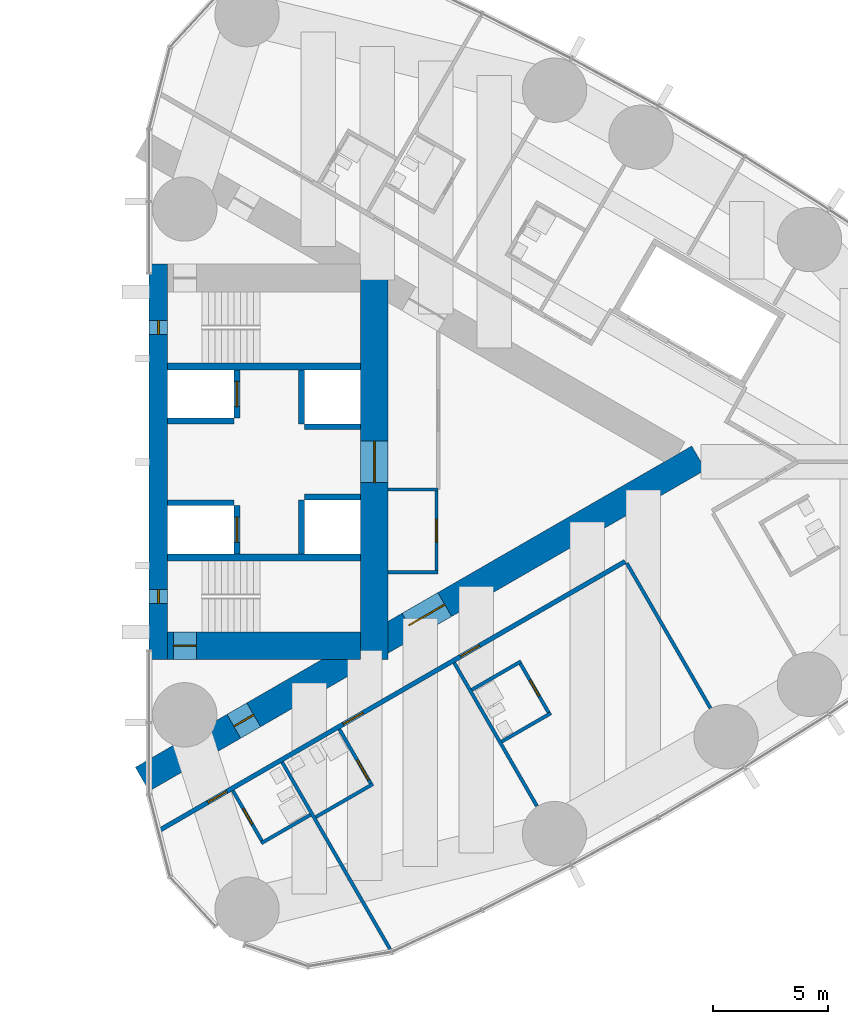
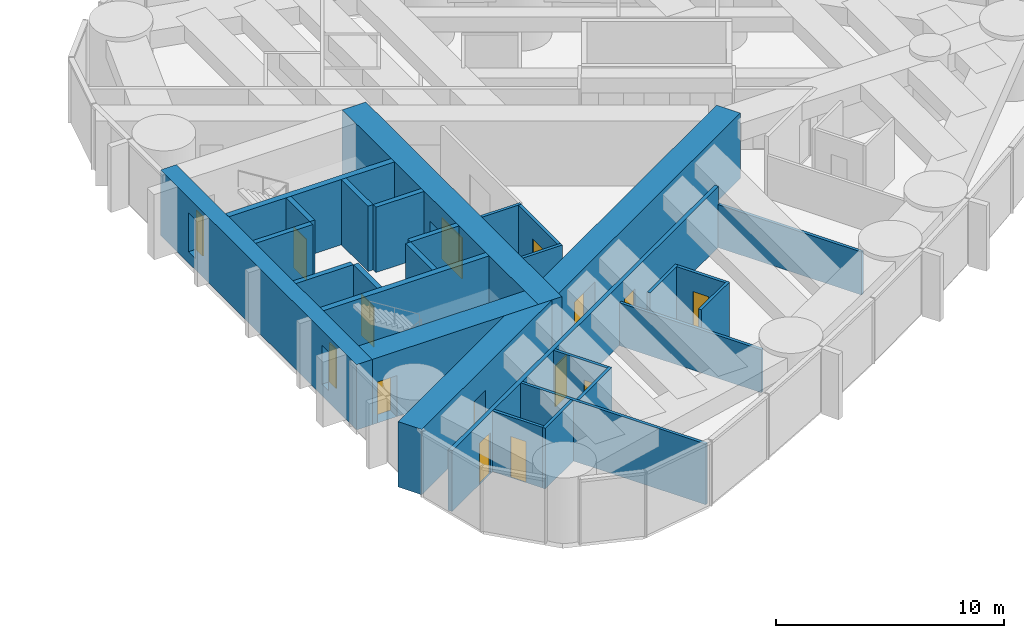
# One storey, part 14 of 18: 28 walls, 13 doors, 2 windows, 15 openings.
"""IFC4 building model written with IfcOpenShell, lengths in metres."""

import ifcopenshell
import ifcopenshell.guid

model = None  # the IFC model being written
_history = None  # IfcOwnerHistory: only IFC2X3 demands one
_inside = {}  # id of a spatial element -> (the spatial element, [elements in it])
_under = {}  # id of a project, library or spatial element -> (it, [spatial elements below it])
_declared = {}  # id of a project -> (the project, [libraries it declares])
_typed = {}  # id of a type object -> (the type object, [elements of that type])
_made_of = {}  # id of a material, layer set ... -> (it, [elements and type objects made of it])


def new_model(schema):
    """Start an empty IFC model of exactly this schema.

    Asked for "IFC4X3", IfcOpenShell would pick the latest addendum, in which some entities
    have other attributes; the version numbers below select the first issue.
    IFC2X3 requires an IfcOwnerHistory on every rooted entity: one is made here for all.
    """
    global model, _history
    if schema == "IFC4X3":
        model = ifcopenshell.file(schema_version=(4, 3, 0, 0))
    else:
        model = ifcopenshell.file(schema=schema)
    _inside.clear()
    _under.clear()
    _declared.clear()
    _typed.clear()
    _made_of.clear()
    _history = None
    if model.schema == "IFC2X3":
        org = make("IfcOrganization", Name="unknown")
        user = make(
            "IfcPersonAndOrganization",
            ThePerson=make("IfcPerson", FamilyName="unknown"),
            TheOrganization=org,
        )
        app = make(
            "IfcApplication",
            ApplicationDeveloper=org,
            Version="unknown",
            ApplicationFullName="unknown",
            ApplicationIdentifier="unknown",
        )
        _history = make(
            "IfcOwnerHistory",
            OwningUser=user,
            OwningApplication=app,
            ChangeAction="ADDED",
            CreationDate=0,
        )
    return model


def make(cls, **values):
    """One entity of the class cls with the attributes given. An attribute that is None is left unset."""
    return model.create_entity(
        cls, **{name: value for name, value in values.items() if value is not None}
    )


def rooted(cls, **values):
    """An entity with a GlobalId (a new one), such as an element, a storey or a relation."""
    return make(cls, GlobalId=ifcopenshell.guid.new(), OwnerHistory=_history, **values)


def si_unit(unit_type, name, prefix=None):
    """IfcSIUnit, for example si_unit("LENGTHUNIT", "METRE", prefix="MILLI")."""
    return make("IfcSIUnit", UnitType=unit_type, Prefix=prefix, Name=name)


def assignment(units):
    """IfcUnitAssignment: the units of a project."""
    return None if units is None else make("IfcUnitAssignment", Units=units)


def point(xyz):
    """IfcCartesianPoint."""
    return None if xyz is None else make("IfcCartesianPoint", Coordinates=xyz)


def direction(xyz):
    """IfcDirection."""
    return None if xyz is None else make("IfcDirection", DirectionRatios=xyz)


def frame(location, z_axis=None, x_axis=None):
    """IfcAxis2Placement3D, a coordinate frame: its origin and axes. An axis left out is left unset."""
    return make(
        "IfcAxis2Placement3D",
        Location=point(location),
        Axis=direction(z_axis),
        RefDirection=direction(x_axis),
    )


def frame_2d(location, x_axis=None):
    """IfcAxis2Placement2D, a coordinate frame in the plane: its origin and x axis."""
    return make(
        "IfcAxis2Placement2D", Location=point(location), RefDirection=direction(x_axis)
    )


def origin():
    """The frame at (0, 0, 0) with its axes left unset."""
    return frame((0.0, 0.0, 0.0))


def place(relative_to, where):
    """IfcLocalPlacement: puts the frame where relative to a parent placement (None: the world)."""
    return make(
        "IfcLocalPlacement", PlacementRelTo=relative_to, RelativePlacement=where
    )


def context(
    kind, dimensions, precision=None, world=None, true_north=None, identifier=None
):
    """IfcGeometricRepresentationContext, for example the 3D "Model" context."""
    return make(
        "IfcGeometricRepresentationContext",
        ContextIdentifier=identifier,
        ContextType=kind,
        CoordinateSpaceDimension=dimensions,
        Precision=precision,
        WorldCoordinateSystem=world,
        TrueNorth=true_north,
    )


def subcontext(parent, identifier, kind, view, scale=None):
    """IfcGeometricRepresentationSubContext, for example "Body" below "Model"."""
    return make(
        "IfcGeometricRepresentationSubContext",
        ContextIdentifier=identifier,
        ContextType=kind,
        ParentContext=parent,
        TargetScale=scale,
        TargetView=view,
    )


def project(units=None, contexts=None):
    """IfcProject with its units and contexts."""
    return rooted(
        "IfcProject",
        Name="project",
        RepresentationContexts=contexts,
        UnitsInContext=assignment(units),
    )


def spatial(cls, under=None, at=None, **own):
    """A site, building, storey or space (cls), placed at a placement, below another one or the project."""
    s = rooted(cls, ObjectPlacement=at, **own)
    if under is not None:
        _under.setdefault(under.id(), (under, []))[1].append(s)
    return s


def profile(cls, at=None, kind="AREA", **sizes):
    """A parametric profile (cls). Its sizes go by their IFC names, for example OverallWidth=200.0."""
    return make(cls, ProfileType=kind, Position=at, **sizes)


def rectangle(**sizes):
    """IfcRectangleProfileDef."""
    return profile("IfcRectangleProfileDef", **sizes)


def extrude(swept, where, along, depth):
    """IfcExtrudedAreaSolid: the profile swept, set in the frame where, extruded along a direction by depth."""
    return make(
        "IfcExtrudedAreaSolid",
        SweptArea=swept,
        Position=where,
        ExtrudedDirection=direction(along),
        Depth=depth,
    )


def shape(context_of_items, identifier, shape_type, items):
    """IfcShapeRepresentation: the items that make up one representation, for example the "Body"."""
    return make(
        "IfcShapeRepresentation",
        ContextOfItems=context_of_items,
        RepresentationIdentifier=identifier,
        RepresentationType=shape_type,
        Items=items,
    )


def material(Name=None, Category=None):
    """IfcMaterial."""
    return make("IfcMaterial", Name=Name, Category=Category)


def layer(
    of_material, thickness, ventilated=None, Name=None, Category=None, Priority=None
):
    """IfcMaterialLayer: one layer of a wall or slab, of a material (None: an air gap)."""
    return make(
        "IfcMaterialLayer",
        Material=of_material,
        LayerThickness=thickness,
        IsVentilated=ventilated,
        Name=Name,
        Category=Category,
        Priority=Priority,
    )


def layer_set(layers, Name=None):
    """IfcMaterialLayerSet."""
    return make("IfcMaterialLayerSet", MaterialLayers=layers, LayerSetName=Name)


def made_of(thing, what):
    """Note that an element or type object is made of a material, layer set ...; save() writes the relation."""
    if what is not None:
        _made_of.setdefault(what.id(), (what, []))[1].append(thing)
    return thing


def type_object(cls, material=None, **own):
    """A type object (cls), such as IfcWallType, which elements share."""
    return made_of(rooted(cls, **own), material)


def element(
    cls,
    number,
    at=None,
    inside=None,
    cuts=None,
    type_object=None,
    material=None,
    context=None,
    identifier="Body",
    shape_type=None,
    held_by="IfcProductDefinitionShape",
    body=None,
    shapes=None,
    **own,
):
    """One element of the class cls, such as IfcWall. Its Tag is "e" and its number.

    at: its placement. inside: the storey or other place that contains it. cuts: it is an
    opening in that element (IfcRelVoidsElement). A single representation is given by context,
    identifier, shape_type and body (its items); several are given by shapes. held_by: the class
    of the entity that holds the representations. save() writes the other relations.
    """
    e = rooted(cls, Tag="e%d" % number, ObjectPlacement=at, **own)
    if body is not None:
        shapes = [shape(context, identifier, shape_type, body)]
    if shapes is not None:
        e.Representation = make(held_by, Representations=shapes)
    if inside is not None:
        _inside.setdefault(inside.id(), (inside, []))[1].append(e)
    if cuts is not None:
        rooted(
            "IfcRelVoidsElement", RelatingBuildingElement=cuts, RelatedOpeningElement=e
        )
    if type_object is not None:
        _typed.setdefault(type_object.id(), (type_object, []))[1].append(e)
    return made_of(e, material)


def fill(opening, filler):
    """IfcRelFillsElement: the door or window that sits in an opening."""
    return rooted(
        "IfcRelFillsElement",
        RelatingOpeningElement=opening,
        RelatedBuildingElement=filler,
    )


def aggregate(whole, parts):
    """IfcRelAggregates: a whole, such as a stair, and the parts it consists of."""
    return rooted("IfcRelAggregates", RelatingObject=whole, RelatedObjects=parts)


def save(model, path):
    """Write the relations noted so far, then the file.

    IfcRelAggregates (storeys below a building ...), IfcRelContainedInSpatialStructure (elements
    in a storey), IfcRelDefinesByType, IfcRelAssociatesMaterial and IfcRelDeclares: one each for
    every whole, place, type object, material and project.
    """
    for whole, parts in _under.values():
        aggregate(whole, parts)
    for where, things in _inside.values():
        rooted(
            "IfcRelContainedInSpatialStructure",
            RelatedElements=things,
            RelatingStructure=where,
        )
    for kind, things in _typed.values():
        rooted("IfcRelDefinesByType", RelatedObjects=things, RelatingType=kind)
    for what, things in _made_of.values():
        rooted("IfcRelAssociatesMaterial", RelatedObjects=things, RelatingMaterial=what)
    for by, libraries in _declared.values():
        rooted("IfcRelDeclares", RelatingContext=by, RelatedDefinitions=libraries)
    model.write(path)


model = new_model("IFC4")

# Units and contexts
model_context = context("Model", 3, precision=1e-05, world=origin(), true_north=direction((0.0, 1.0)))
body_context = subcontext(model_context, "Body", "Model", "MODEL_VIEW")
ifc_project = project(units=[si_unit("LENGTHUNIT", "METRE"), si_unit("AREAUNIT", "SQUARE_METRE"), si_unit("VOLUMEUNIT", "CUBIC_METRE"), si_unit("PLANEANGLEUNIT", "RADIAN"), si_unit("MASSUNIT", "GRAM", prefix="KILO")], contexts=[model_context])

# Site, building, storey
site_placement = place(None, origin())
site = spatial("IfcSite", under=ifc_project, at=site_placement, CompositionType="ELEMENT")
building_placement = place(site_placement, origin())
building = spatial("IfcBuilding", under=site, at=building_placement, Name="Lancet Gate Hotel", CompositionType="ELEMENT")
storey_placement = place(building_placement, frame((0.0, 0.0, 187.800048828125)))
storey = spatial("IfcBuildingStorey", under=building, at=storey_placement, Name="L50", CompositionType="ELEMENT", Elevation=187.800048828125)

# Wall
ifc_material_1 = material(Name="Moisture resistant board partition")
ifc_layer_1 = layer(ifc_material_1, 0.14990234375)
ifc_layer_set_1 = layer_set([ifc_layer_1], Name="Bathroom wall 150")
wall_type_1 = type_object("IfcWallType", Name="Bathroom wall 150", PredefinedType="PARTITIONING", material=ifc_layer_set_1)
wall_1_placement = place(storey_placement, frame((32.375244140625, -16.58544921875, 0.0), z_axis=(0.0, 0.0, 1.0), x_axis=(0.86604923931, 0.499958713387, 0.0)))
element("IfcWall", 1, at=wall_1_placement, inside=storey, type_object=wall_type_1, Name="T2 bathroom wall 150 L50", PredefinedType="PARTITIONING", context=body_context, shape_type="SweptSolid", body=[
    extrude(rectangle(XDim=2.474853515625, YDim=0.14990234375, at=frame_2d((1.2373046875, 0.0))), origin(), (0.0, 0.0, 1.0), 3.25),
])

# Wall, opening, door
wall_2_placement = place(storey_placement, frame((31.14013671875, -14.29638671875, 0.0), z_axis=(0.0, 0.0, 1.0), x_axis=(0.500006934395, -0.866021400173, 0.0)))
wall_2 = element("IfcWall", 2, at=wall_2_placement, inside=storey, type_object=wall_type_1, Name="T2 bathroom wall 150 L50", PredefinedType="PARTITIONING", context=body_context, shape_type="SweptSolid", body=[
    extrude(rectangle(XDim=2.60009765625, YDim=0.14990234375, at=frame_2d((1.300048828125, 0.0))), origin(), (0.0, 0.0, 1.0), 3.25),
])
opening_1_placement = place(wall_2_placement, frame((0.89990234375, 0.0, 0.0)))
opening_1 = element("IfcOpeningElement", 3, at=opening_1_placement, cuts=wall_2, Name="Opening 5051-B", PredefinedType="OPENING", context=body_context, shape_type="SweptSolid", body=[
    extrude(rectangle(XDim=0.800048828125, YDim=2.199951171875, at=frame_2d((0.39990234375, 1.10009765625))), frame((0.0, 0.0849609375, 0.0), z_axis=(0.0, -1.0, 0.0), x_axis=(1.0, 0.0, 0.0)), (0.0, 0.0, 1.0), 0.169921875),
])
ifc_material_2 = material(Name="Timber door set", Category="wood")
door_type_1 = type_object("IfcDoorType", Name="Bathroom door 800", OperationType="SINGLE_SWING_RIGHT", PredefinedType="DOOR", material=ifc_material_2)
door_1_placement = place(opening_1_placement, origin())
door_1 = element("IfcDoor", 4, at=door_1_placement, inside=storey, type_object=door_type_1, Name="5051-B", OperationType="SINGLE_SWING_RIGHT", OverallHeight=2.199951171875, OverallWidth=0.800048828125, PredefinedType="DOOR", context=body_context, shape_type="SweptSolid", body=[
    extrude(rectangle(XDim=0.800048828125, YDim=2.199951171875, at=frame_2d((0.39990234375, 1.10009765625))), frame((0.0, 0.02490234375, 0.0), z_axis=(0.0, -1.0, 0.0), x_axis=(1.0, 0.0, 0.0)), (0.0, 0.0, 1.0), 0.050048828125),
])
fill(opening_1, door_1)

# Wall
wall_3_placement = place(storey_placement, frame((34.74853515625, -15.4462890625, 0.0), z_axis=(0.0, 0.0, 1.0), x_axis=(0.866018712932, 0.500011588718, 0.0)))
element("IfcWall", 5, at=wall_3_placement, inside=storey, type_object=wall_type_1, Name="T2 bathroom wall 150 L50", PredefinedType="PARTITIONING", context=body_context, shape_type="SweptSolid", body=[
    extrude(rectangle(XDim=2.875, YDim=0.14990234375, at=frame_2d((1.4375, 0.0))), origin(), (0.0, 0.0, 1.0), 3.25),
])

# Wall, opening, door
wall_4_placement = place(storey_placement, frame((35.7734375, -11.621337890625, 0.0), z_axis=(0.0, 0.0, 1.0), x_axis=(0.49998411664, -0.866034573852, 0.0)))
wall_4 = element("IfcWall", 6, at=wall_4_placement, inside=storey, type_object=wall_type_1, Name="T2 bathroom wall 150 L50", PredefinedType="PARTITIONING", context=body_context, shape_type="SweptSolid", body=[
    extrude(rectangle(XDim=2.7998046875, YDim=0.14990234375, at=frame_2d((1.39990234375, 0.0))), origin(), (0.0, 0.0, 1.0), 3.25),
])
opening_2_placement = place(wall_4_placement, frame((1.550048828125, 0.0, 0.0)))
opening_2 = element("IfcOpeningElement", 7, at=opening_2_placement, cuts=wall_4, Name="Opening 5052-B", PredefinedType="OPENING", context=body_context, shape_type="SweptSolid", body=[
    extrude(rectangle(XDim=1.0, YDim=2.199951171875, at=frame_2d((0.5, 1.10009765625))), frame((0.0, 0.0849609375, 0.0), z_axis=(0.0, -1.0, 0.0), x_axis=(1.0, 0.0, 0.0)), (0.0, 0.0, 1.0), 0.169921875),
])
ifc_material_3 = material(Name="Timber door set", Category="wood")
door_type_2 = type_object("IfcDoorType", Name="Accessible en-suite door 1000", OperationType="SINGLE_SWING_RIGHT", PredefinedType="DOOR", material=ifc_material_3)
door_2_placement = place(opening_2_placement, origin())
door_2 = element("IfcDoor", 8, at=door_2_placement, inside=storey, type_object=door_type_2, Name="5052-B", OperationType="SINGLE_SWING_RIGHT", OverallHeight=2.199951171875, OverallWidth=1.0, PredefinedType="DOOR", context=body_context, shape_type="SweptSolid", body=[
    extrude(rectangle(XDim=1.0, YDim=2.199951171875, at=frame_2d((0.5, 1.10009765625))), frame((0.0, 0.02490234375, 0.0), z_axis=(0.0, -1.0, 0.0), x_axis=(1.0, 0.0, 0.0)), (0.0, 0.0, 1.0), 0.050048828125),
])
fill(opening_2, door_2)

# Wall
wall_5_placement = place(storey_placement, frame((42.834228515625, -12.16357421875, 0.0), z_axis=(0.0, 0.0, 1.0), x_axis=(0.866031185235, 0.4999899861, 0.0)))
element("IfcWall", 9, at=wall_5_placement, inside=storey, type_object=wall_type_1, Name="T2 bathroom wall 150 L50", PredefinedType="PARTITIONING", context=body_context, shape_type="SweptSolid", body=[
    extrude(rectangle(XDim=2.47509765625, YDim=0.14990234375, at=frame_2d((1.237548828125, 0.0))), origin(), (0.0, 0.0, 1.0), 3.25),
])

# Wall, opening, door
wall_6_placement = place(storey_placement, frame((43.61279296875, -8.7119140625, 0.0), z_axis=(0.0, 0.0, 1.0), x_axis=(0.500006934395, -0.866021400173, 0.0)))
wall_6 = element("IfcWall", 10, at=wall_6_placement, inside=storey, type_object=wall_type_1, Name="T2 bathroom wall 150 L50", PredefinedType="PARTITIONING", context=body_context, shape_type="SweptSolid", body=[
    extrude(rectangle(XDim=2.60009765625, YDim=0.14990234375, at=frame_2d((1.300048828125, 0.0))), origin(), (0.0, 0.0, 1.0), 3.25),
])
opening_3_placement = place(wall_6_placement, frame((0.89990234375, 0.0, 0.0)))
opening_3 = element("IfcOpeningElement", 11, at=opening_3_placement, cuts=wall_6, Name="Opening 5054-B", PredefinedType="OPENING", context=body_context, shape_type="SweptSolid", body=[
    extrude(rectangle(XDim=0.800048828125, YDim=2.199951171875, at=frame_2d((0.39990234375, 1.10009765625))), frame((0.0, 0.0849609375, 0.0), z_axis=(0.0, -1.0, 0.0), x_axis=(1.0, 0.0, 0.0)), (0.0, 0.0, 1.0), 0.169921875),
])
door_3_placement = place(opening_3_placement, origin())
door_3 = element("IfcDoor", 12, at=door_3_placement, inside=storey, type_object=door_type_1, Name="5054-B", OperationType="SINGLE_SWING_RIGHT", OverallHeight=2.199951171875, OverallWidth=0.800048828125, PredefinedType="DOOR", context=body_context, shape_type="SweptSolid", body=[
    extrude(rectangle(XDim=0.800048828125, YDim=2.199951171875, at=frame_2d((0.39990234375, 1.10009765625))), frame((0.0, 0.02490234375, 0.0), z_axis=(0.0, -1.0, 0.0), x_axis=(1.0, 0.0, 0.0)), (0.0, 0.0, 1.0), 0.050048828125),
])
fill(opening_3, door_3)

# Wall
wall_7_placement = place(storey_placement, frame((41.5341796875, -9.911865234375, 0.0), z_axis=(0.0, 0.0, 1.0), x_axis=(0.866031185235, 0.4999899861, 0.0)))
element("IfcWall", 13, at=wall_7_placement, inside=storey, type_object=wall_type_1, Name="T2 bathroom wall 150 L50", PredefinedType="PARTITIONING", context=body_context, shape_type="SweptSolid", body=[
    extrude(rectangle(XDim=2.47509765625, YDim=0.14990234375, at=frame_2d((1.237548828125, 0.0))), origin(), (0.0, 0.0, 1.0), 3.25),
])

# Wall, openings, doors
ifc_material_4 = material(Name="Concrete C70/85", Category="concrete")
ifc_layer_2 = layer(ifc_material_4, 1.199951171875)
ifc_layer_set_2 = layer_set([ifc_layer_2], Name="Buttress wall 1200")
wall_type_2 = type_object("IfcWallType", Name="Buttress wall 1200", PredefinedType="SHEAR", material=ifc_layer_set_2)
wall_8_placement = place(storey_placement, frame((27.199951171875, -13.800048828125, 0.0), z_axis=(0.0, 0.0, 1.0), x_axis=(0.866027159892, 0.499996958321, 0.0)))
wall_8 = element("IfcWall", 14, at=wall_8_placement, inside=storey, type_object=wall_type_2, Name="T2 buttress wall S L50", PredefinedType="SHEAR", context=body_context, shape_type="SweptSolid", body=[
    extrude(rectangle(XDim=27.946533203125, YDim=1.199951171875, at=frame_2d((13.97314453125, 0.0))), origin(), (0.0, 0.0, 1.0), 3.5),
])
opening_4_placement = place(wall_8_placement, frame((4.60009765625, 0.0, 0.0)))
opening_4 = element("IfcOpeningElement", 15, at=opening_4_placement, cuts=wall_8, Name="Opening T2-L50-LS", PredefinedType="OPENING", context=body_context, shape_type="SweptSolid", body=[
    extrude(rectangle(XDim=1.0, YDim=2.199951171875, at=frame_2d((0.5, 1.10009765625))), frame((0.0, 0.60986328125, 0.0), z_axis=(0.0, -1.0, 0.0), x_axis=(1.0, 0.0, 0.0)), (0.0, 0.0, 1.0), 1.219970703125),
])
opening_5_placement = place(wall_8_placement, frame((13.39453125, 0.0, 0.0)))
opening_5 = element("IfcOpeningElement", 16, at=opening_5_placement, cuts=wall_8, Name="Opening T2-L50-LHS", PredefinedType="OPENING", context=body_context, shape_type="SweptSolid", body=[
    extrude(rectangle(XDim=1.800048828125, YDim=2.199951171875, at=frame_2d((0.89990234375, 1.10009765625))), frame((0.0, 0.60986328125, 0.0), z_axis=(0.0, -1.0, 0.0), x_axis=(1.0, 0.0, 0.0)), (0.0, 0.0, 1.0), 1.219970703125),
])
ifc_material_5 = material(Name="Timber door set", Category="wood")
door_type_3 = type_object("IfcDoorType", Name="Lobby double door 1800", OperationType="DOUBLE_DOOR_SINGLE_SWING", PredefinedType="DOOR", material=ifc_material_5)
door_4_placement = place(opening_5_placement, origin())
door_4 = element("IfcDoor", 17, at=door_4_placement, inside=storey, type_object=door_type_3, Name="T2-L50-LHS", OperationType="DOUBLE_DOOR_SINGLE_SWING", OverallHeight=2.199951171875, OverallWidth=1.800048828125, PredefinedType="DOOR", context=body_context, shape_type="SweptSolid", body=[
    extrude(rectangle(XDim=1.800048828125, YDim=2.199951171875, at=frame_2d((0.89990234375, 1.10009765625))), frame((0.0, 0.02490234375, 0.0), z_axis=(0.0, -1.0, 0.0), x_axis=(1.0, 0.0, 0.0)), (0.0, 0.0, 1.0), 0.050048828125),
])
fill(opening_5, door_4)
ifc_material_6 = material(Name="Timber door set", Category="wood")
door_type_4 = type_object("IfcDoorType", Name="Stair lobby door 1000", OperationType="SINGLE_SWING_LEFT", PredefinedType="DOOR", material=ifc_material_6)
door_5_placement = place(opening_4_placement, origin())
door_5 = element("IfcDoor", 18, at=door_5_placement, inside=storey, type_object=door_type_4, Name="T2-L50-LS", OperationType="SINGLE_SWING_LEFT", OverallHeight=2.199951171875, OverallWidth=1.0, PredefinedType="DOOR", context=body_context, shape_type="SweptSolid", body=[
    extrude(rectangle(XDim=1.0, YDim=2.199951171875, at=frame_2d((0.5, 1.10009765625))), frame((0.0, 0.02490234375, 0.0), z_axis=(0.0, -1.0, 0.0), x_axis=(1.0, 0.0, 0.0)), (0.0, 0.0, 1.0), 0.050048828125),
])
fill(opening_4, door_5)

# Wall, opening, door
ifc_material_7 = material(Name="Concrete C70/85", Category="concrete")
ifc_layer_3 = layer(ifc_material_7, 1.199951171875)
ifc_layer_set_3 = layer_set([ifc_layer_3], Name="Core wall 1200")
wall_type_3 = type_object("IfcWallType", Name="Core wall 1200", PredefinedType="SHEAR", material=ifc_layer_set_3)
wall_9_placement = place(storey_placement, frame((37.300048828125, -8.60009765625, 0.0), z_axis=(0.0, 0.0, 1.0), x_axis=(0.0, 1.0, 0.0)))
wall_9 = element("IfcWall", 19, at=wall_9_placement, inside=storey, type_object=wall_type_3, Name="T2 core wall back L50", PredefinedType="SHEAR", context=body_context, shape_type="SweptSolid", body=[
    extrude(rectangle(XDim=17.2001953125, YDim=1.199951171875, at=frame_2d((8.60009765625, 0.0))), origin(), (0.0, 0.0, 1.0), 3.5),
])
opening_6_placement = place(wall_9_placement, frame((7.699951171875, 0.0, 0.0)))
opening_6 = element("IfcOpeningElement", 20, at=opening_6_placement, cuts=wall_9, Name="Opening T2-L50-LL", PredefinedType="OPENING", context=body_context, shape_type="SweptSolid", body=[
    extrude(rectangle(XDim=1.800048828125, YDim=2.199951171875, at=frame_2d((0.89990234375, 1.10009765625))), frame((0.0, 0.60986328125, 0.0), z_axis=(0.0, -1.0, 0.0), x_axis=(1.0, 0.0, 0.0)), (0.0, 0.0, 1.0), 1.219970703125),
])
door_6_placement = place(opening_6_placement, origin())
door_6 = element("IfcDoor", 21, at=door_6_placement, inside=storey, type_object=door_type_3, Name="T2-L50-LL", OperationType="DOUBLE_DOOR_SINGLE_SWING", OverallHeight=2.199951171875, OverallWidth=1.800048828125, PredefinedType="DOOR", context=body_context, shape_type="SweptSolid", body=[
    extrude(rectangle(XDim=1.800048828125, YDim=2.199951171875, at=frame_2d((0.89990234375, 1.10009765625))), frame((0.0, 0.02490234375, 0.0), z_axis=(0.0, -1.0, 0.0), x_axis=(1.0, 0.0, 0.0)), (0.0, 0.0, 1.0), 0.050048828125),
])
fill(opening_6, door_6)

wall_10_placement = place(storey_placement, frame((28.300048828125, -8.0, 0.0), z_axis=(0.0, 0.0, 1.0), x_axis=(1.0, 0.0, 0.0)))
wall_10 = element("IfcWall", 22, at=wall_10_placement, inside=storey, type_object=wall_type_3, Name="T2 core wall side-S L50", PredefinedType="SHEAR", context=body_context, shape_type="SweptSolid", body=[
    extrude(rectangle(XDim=8.39990234375, YDim=1.199951171875, at=frame_2d((4.199951171875, 0.0))), origin(), (0.0, 0.0, 1.0), 3.5),
])
opening_7_placement = place(wall_10_placement, frame((0.25, 0.0, 0.0)))
opening_7 = element("IfcOpeningElement", 23, at=opening_7_placement, cuts=wall_10, Name="Opening T2-L50-ST1", PredefinedType="OPENING", context=body_context, shape_type="SweptSolid", body=[
    extrude(rectangle(XDim=1.0, YDim=2.199951171875, at=frame_2d((0.5, 1.10009765625))), frame((0.0, 0.60986328125, 0.0), z_axis=(0.0, -1.0, 0.0), x_axis=(1.0, 0.0, 0.0)), (0.0, 0.0, 1.0), 1.219970703125),
])
ifc_material_8 = material(Name="Timber door set", Category="wood")
door_type_5 = type_object("IfcDoorType", Name="Stair door 1000", OperationType="SINGLE_SWING_RIGHT", PredefinedType="DOOR", material=ifc_material_8)
door_7_placement = place(opening_7_placement, origin())
door_7 = element("IfcDoor", 24, at=door_7_placement, inside=storey, type_object=door_type_5, Name="T2-L50-ST1", OperationType="SINGLE_SWING_RIGHT", OverallHeight=2.199951171875, OverallWidth=1.0, PredefinedType="DOOR", context=body_context, shape_type="SweptSolid", body=[
    extrude(rectangle(XDim=1.0, YDim=2.199951171875, at=frame_2d((0.5, 1.10009765625))), frame((0.0, 0.02490234375, 0.0), z_axis=(0.0, -1.0, 0.0), x_axis=(1.0, 0.0, 0.0)), (0.0, 0.0, 1.0), 0.050048828125),
])
fill(opening_7, door_7)

# Wall, openings, windows
ifc_material_9 = material(Name="Concrete C70/85", Category="concrete")
ifc_layer_4 = layer(ifc_material_9, 0.800048828125)
ifc_layer_set_4 = layer_set([ifc_layer_4], Name="Core wall 800")
wall_type_4 = type_object("IfcWallType", Name="Core wall 800", PredefinedType="SHEAR", material=ifc_layer_set_4)
wall_11_placement = place(storey_placement, frame((27.89990234375, -8.60009765625, 0.0), z_axis=(0.0, 0.0, 1.0), x_axis=(0.0, 1.0, 0.0)))
wall_11 = element("IfcWall", 25, at=wall_11_placement, inside=storey, type_object=wall_type_4, Name="T2 core wall front L50", PredefinedType="SHEAR", context=body_context, shape_type="SweptSolid", body=[
    extrude(rectangle(XDim=17.2001953125, YDim=0.800048828125, at=frame_2d((8.60009765625, 0.0))), origin(), (0.0, 0.0, 1.0), 3.5),
])
opening_8_placement = place(wall_11_placement, frame((2.449951171875, 0.0, 0.60009765625)))
opening_8 = element("IfcOpeningElement", 26, at=opening_8_placement, cuts=wall_11, Name="Opening LW1", PredefinedType="OPENING", context=body_context, shape_type="SweptSolid", body=[
    extrude(rectangle(XDim=0.60009765625, YDim=2.10009765625, at=frame_2d((0.300048828125, 1.050048828125))), frame((0.0, 0.409912109375, 0.0), z_axis=(0.0, -1.0, 0.0), x_axis=(1.0, 0.0, 0.0)), (0.0, 0.0, 1.0), 0.820068359375),
])
opening_9_placement = place(wall_11_placement, frame((14.14990234375, 0.0, 0.60009765625)))
opening_9 = element("IfcOpeningElement", 27, at=opening_9_placement, cuts=wall_11, Name="Opening LW1", PredefinedType="OPENING", context=body_context, shape_type="SweptSolid", body=[
    extrude(rectangle(XDim=0.60009765625, YDim=2.10009765625, at=frame_2d((0.300048828125, 1.050048828125))), frame((0.0, 0.409912109375, 0.0), z_axis=(0.0, -1.0, 0.0), x_axis=(1.0, 0.0, 0.0)), (0.0, 0.0, 1.0), 0.820068359375),
])
ifc_material_10 = material(Name="Fire-resisting glazed steel window", Category="steel")
window_type = type_object("IfcWindowType", Name="Lancet window 600x2100", PartitioningType="SINGLE_PANEL", PredefinedType="WINDOW", material=ifc_material_10)
window_1_placement = place(opening_8_placement, origin())
window_1 = element("IfcWindow", 28, at=window_1_placement, inside=storey, type_object=window_type, Name="T2 stair window S L50", OverallHeight=2.10009765625, OverallWidth=0.60009765625, PartitioningType="SINGLE_PANEL", PredefinedType="WINDOW", context=body_context, shape_type="SweptSolid", body=[
    extrude(rectangle(XDim=0.60009765625, YDim=2.10009765625, at=frame_2d((0.300048828125, 1.050048828125))), frame((0.0, 0.030029296875, 0.0), z_axis=(0.0, -1.0, 0.0), x_axis=(1.0, 0.0, 0.0)), (0.0, 0.0, 1.0), 0.06005859375),
])
fill(opening_8, window_1)
window_2_placement = place(opening_9_placement, origin())
window_2 = element("IfcWindow", 29, at=window_2_placement, inside=storey, type_object=window_type, Name="T2 stair window N L50", OverallHeight=2.10009765625, OverallWidth=0.60009765625, PartitioningType="SINGLE_PANEL", PredefinedType="WINDOW", context=body_context, shape_type="SweptSolid", body=[
    extrude(rectangle(XDim=0.60009765625, YDim=2.10009765625, at=frame_2d((0.300048828125, 1.050048828125))), frame((0.0, 0.030029296875, 0.0), z_axis=(0.0, -1.0, 0.0), x_axis=(1.0, 0.0, 0.0)), (0.0, 0.0, 1.0), 0.06005859375),
])
fill(opening_9, window_2)

# Wall, openings, doors
ifc_material_11 = material(Name="Gypsum board partition")
ifc_layer_5 = layer(ifc_material_11, 0.199951171875)
ifc_layer_set_5 = layer_set([ifc_layer_5], Name="Corridor wall 200")
wall_type_5 = type_object("IfcWallType", Name="Corridor wall 200", PredefinedType="PARTITIONING", material=ifc_layer_set_5)
wall_12_placement = place(storey_placement, frame((27.95947265625, -16.017333984375, 0.0), z_axis=(0.0, 0.0, 1.0), x_axis=(0.866024180982, 0.50000211795, 0.0)))
wall_12 = element("IfcWall", 30, at=wall_12_placement, inside=storey, type_object=wall_type_5, Name="T2 corridor wall 200 L50", PredefinedType="PARTITIONING", context=body_context, shape_type="SweptSolid", body=[
    extrude(rectangle(XDim=23.37548828125, YDim=0.199951171875, at=frame_2d((11.687744140625, 0.0))), origin(), (0.0, 0.0, 1.0), 3.25),
])
opening_10_placement = place(wall_12_placement, frame((2.4150390625, 0.0, 0.0)))
opening_10 = element("IfcOpeningElement", 31, at=opening_10_placement, cuts=wall_12, Name="Opening 5051-E", PredefinedType="OPENING", context=body_context, shape_type="SweptSolid", body=[
    extrude(rectangle(XDim=0.949951171875, YDim=2.199951171875, at=frame_2d((0.47509765625, 1.10009765625))), frame((0.0, 0.10986328125, 0.0), z_axis=(0.0, -1.0, 0.0), x_axis=(1.0, 0.0, 0.0)), (0.0, 0.0, 1.0), 0.219970703125),
])
opening_11_placement = place(wall_12_placement, frame((9.215087890625, 0.0, 0.0)))
opening_11 = element("IfcOpeningElement", 32, at=opening_11_placement, cuts=wall_12, Name="Opening 5052-E", PredefinedType="OPENING", context=body_context, shape_type="SweptSolid", body=[
    extrude(rectangle(XDim=1.0, YDim=2.199951171875, at=frame_2d((0.5, 1.10009765625))), frame((0.0, 0.10986328125, 0.0), z_axis=(0.0, -1.0, 0.0), x_axis=(1.0, 0.0, 0.0)), (0.0, 0.0, 1.0), 0.219970703125),
])
opening_12_placement = place(wall_12_placement, frame((15.10888671875, 0.0, 0.0)))
opening_12 = element("IfcOpeningElement", 33, at=opening_12_placement, cuts=wall_12, Name="Opening 5054-E", PredefinedType="OPENING", context=body_context, shape_type="SweptSolid", body=[
    extrude(rectangle(XDim=0.949951171875, YDim=2.199951171875, at=frame_2d((0.47509765625, 1.10009765625))), frame((0.0, 0.10986328125, 0.0), z_axis=(0.0, -1.0, 0.0), x_axis=(1.0, 0.0, 0.0)), (0.0, 0.0, 1.0), 0.219970703125),
])
ifc_material_12 = material(Name="Timber door set", Category="wood")
door_type_6 = type_object("IfcDoorType", Name="Accessible guest room door 1000", OperationType="SINGLE_SWING_LEFT", PredefinedType="DOOR", material=ifc_material_12)
door_8_placement = place(opening_11_placement, origin())
door_8 = element("IfcDoor", 34, at=door_8_placement, inside=storey, type_object=door_type_6, Name="5052-E", OperationType="SINGLE_SWING_LEFT", OverallHeight=2.199951171875, OverallWidth=1.0, PredefinedType="DOOR", context=body_context, shape_type="SweptSolid", body=[
    extrude(rectangle(XDim=1.0, YDim=2.199951171875, at=frame_2d((0.5, 1.10009765625))), frame((0.0, 0.02490234375, 0.0), z_axis=(0.0, -1.0, 0.0), x_axis=(1.0, 0.0, 0.0)), (0.0, 0.0, 1.0), 0.050048828125),
])
fill(opening_11, door_8)
ifc_material_13 = material(Name="Timber door set", Category="wood")
door_type_7 = type_object("IfcDoorType", Name="Guest room entry door 950", OperationType="SINGLE_SWING_LEFT", PredefinedType="DOOR", material=ifc_material_13)
door_9_placement = place(opening_10_placement, origin())
door_9 = element("IfcDoor", 35, at=door_9_placement, inside=storey, type_object=door_type_7, Name="5051-E", OperationType="SINGLE_SWING_LEFT", OverallHeight=2.199951171875, OverallWidth=0.949951171875, PredefinedType="DOOR", context=body_context, shape_type="SweptSolid", body=[
    extrude(rectangle(XDim=0.949951171875, YDim=2.199951171875, at=frame_2d((0.47509765625, 1.10009765625))), frame((0.0, 0.02490234375, 0.0), z_axis=(0.0, -1.0, 0.0), x_axis=(1.0, 0.0, 0.0)), (0.0, 0.0, 1.0), 0.050048828125),
])
fill(opening_10, door_9)
door_10_placement = place(opening_12_placement, origin())
door_10 = element("IfcDoor", 36, at=door_10_placement, inside=storey, type_object=door_type_7, Name="5054-E", OperationType="SINGLE_SWING_LEFT", OverallHeight=2.199951171875, OverallWidth=0.949951171875, PredefinedType="DOOR", context=body_context, shape_type="SweptSolid", body=[
    extrude(rectangle(XDim=0.949951171875, YDim=2.199951171875, at=frame_2d((0.47509765625, 1.10009765625))), frame((0.0, 0.02490234375, 0.0), z_axis=(0.0, -1.0, 0.0), x_axis=(1.0, 0.0, 0.0)), (0.0, 0.0, 1.0), 0.050048828125),
])
fill(opening_12, door_10)

# Wall, opening, door
ifc_material_14 = material(Name="Concrete C50/60", Category="concrete")
ifc_layer_6 = layer(ifc_material_14, 0.25)
ifc_layer_set_6 = layer_set([ifc_layer_6], Name="Lift shaft wall 250")
wall_type_6 = type_object("IfcWallType", Name="Lift shaft wall 250", PredefinedType="SHEAR", material=ifc_layer_set_6)
wall_13_placement = place(storey_placement, frame((31.324951171875, -4.0, 0.0), z_axis=(0.0, 0.0, 1.0), x_axis=(0.0, 1.0, 0.0)))
wall_13 = element("IfcWall", 37, at=wall_13_placement, inside=storey, type_object=wall_type_6, Name="T2 core wall row1-S L50", PredefinedType="SHEAR", context=body_context, shape_type="SweptSolid", body=[
    extrude(rectangle(XDim=2.10009765625, YDim=0.25, at=frame_2d((1.050048828125, 0.0))), origin(), (0.0, 0.0, 1.0), 3.5),
])
opening_13_placement = place(wall_13_placement, frame((0.5, 0.0, 0.0)))
opening_13 = element("IfcOpeningElement", 38, at=opening_13_placement, cuts=wall_13, Name="Opening T2-SL1-L50", PredefinedType="OPENING", context=body_context, shape_type="SweptSolid", body=[
    extrude(rectangle(XDim=1.10009765625, YDim=2.199951171875, at=frame_2d((0.550048828125, 1.10009765625))), frame((0.0, 0.135009765625, 0.0), z_axis=(0.0, -1.0, 0.0), x_axis=(1.0, 0.0, 0.0)), (0.0, 0.0, 1.0), 0.27001953125),
])
ifc_material_15 = material(Name="Timber door set", Category="wood")
door_type_8 = type_object("IfcDoorType", Name="Service lift landing door 1100", OperationType="SLIDING_TO_LEFT", PredefinedType="USERDEFINED", material=ifc_material_15)
door_11_placement = place(opening_13_placement, origin())
door_11 = element("IfcDoor", 39, at=door_11_placement, inside=storey, type_object=door_type_8, Name="T2-SL1-L50", ObjectType="LIFT LANDING DOOR", OperationType="SLIDING_TO_LEFT", OverallHeight=2.199951171875, OverallWidth=1.10009765625, PredefinedType="USERDEFINED", context=body_context, shape_type="SweptSolid", body=[
    extrude(rectangle(XDim=1.10009765625, YDim=2.199951171875, at=frame_2d((0.550048828125, 1.10009765625))), frame((0.0, 0.02490234375, 0.0), z_axis=(0.0, -1.0, 0.0), x_axis=(1.0, 0.0, 0.0)), (0.0, 0.0, 1.0), 0.050048828125),
])
fill(opening_13, door_11)

# Walls
wall_14_placement = place(storey_placement, frame((34.125, -4.0, 0.0), z_axis=(0.0, 0.0, 1.0), x_axis=(0.0, 1.0, 0.0)))
element("IfcWall", 40, at=wall_14_placement, inside=storey, type_object=wall_type_6, Name="T2 core wall row2-S L50", PredefinedType="SHEAR", context=body_context, shape_type="SweptSolid", body=[
    extrude(rectangle(XDim=2.35009765625, YDim=0.25, at=frame_2d((1.175048828125, 0.0))), origin(), (0.0, 0.0, 1.0), 3.5),
])
wall_15_placement = place(storey_placement, frame((28.300048828125, -1.77490234375, 0.0), z_axis=(0.0, 0.0, 1.0), x_axis=(1.0, 0.0, 0.0)))
element("IfcWall", 41, at=wall_15_placement, inside=storey, type_object=wall_type_6, Name="T2 core wall pass1-S L50", PredefinedType="SHEAR", context=body_context, shape_type="SweptSolid", body=[
    extrude(rectangle(XDim=2.89990234375, YDim=0.25, at=frame_2d((1.449951171875, 0.0))), origin(), (0.0, 0.0, 1.0), 3.5),
])
wall_16_placement = place(storey_placement, frame((34.25, -1.52490234375, 0.0), z_axis=(0.0, 0.0, 1.0), x_axis=(1.0, 0.0, 0.0)))
element("IfcWall", 42, at=wall_16_placement, inside=storey, type_object=wall_type_6, Name="T2 core wall pass2-S L50", PredefinedType="SHEAR", context=body_context, shape_type="SweptSolid", body=[
    extrude(rectangle(XDim=2.449951171875, YDim=0.25, at=frame_2d((1.22509765625, 0.0))), origin(), (0.0, 0.0, 1.0), 3.5),
])

# Wall, opening, door
wall_17_placement = place(storey_placement, frame((31.324951171875, 1.89990234375, 0.0), z_axis=(0.0, 0.0, 1.0), x_axis=(0.0, 1.0, 0.0)))
wall_17 = element("IfcWall", 43, at=wall_17_placement, inside=storey, type_object=wall_type_6, Name="T2 core wall row1-N L50", PredefinedType="SHEAR", context=body_context, shape_type="SweptSolid", body=[
    extrude(rectangle(XDim=2.10009765625, YDim=0.25, at=frame_2d((1.050048828125, 0.0))), origin(), (0.0, 0.0, 1.0), 3.5),
])
opening_14_placement = place(wall_17_placement, frame((0.5, 0.0, 0.0)))
opening_14 = element("IfcOpeningElement", 44, at=opening_14_placement, cuts=wall_17, Name="Opening T2-FL2-L50", PredefinedType="OPENING", context=body_context, shape_type="SweptSolid", body=[
    extrude(rectangle(XDim=1.10009765625, YDim=2.199951171875, at=frame_2d((0.550048828125, 1.10009765625))), frame((0.0, 0.135009765625, 0.0), z_axis=(0.0, -1.0, 0.0), x_axis=(1.0, 0.0, 0.0)), (0.0, 0.0, 1.0), 0.27001953125),
])
ifc_material_16 = material(Name="Steel door set", Category="steel")
door_type_9 = type_object("IfcDoorType", Name="Firefighting lift landing door 1100", OperationType="SLIDING_TO_LEFT", PredefinedType="USERDEFINED", material=ifc_material_16)
door_12_placement = place(opening_14_placement, origin())
door_12 = element("IfcDoor", 45, at=door_12_placement, inside=storey, type_object=door_type_9, Name="T2-FL2-L50", ObjectType="LIFT LANDING DOOR", OperationType="SLIDING_TO_LEFT", OverallHeight=2.199951171875, OverallWidth=1.10009765625, PredefinedType="USERDEFINED", context=body_context, shape_type="SweptSolid", body=[
    extrude(rectangle(XDim=1.10009765625, YDim=2.199951171875, at=frame_2d((0.550048828125, 1.10009765625))), frame((0.0, 0.02490234375, 0.0), z_axis=(0.0, -1.0, 0.0), x_axis=(1.0, 0.0, 0.0)), (0.0, 0.0, 1.0), 0.050048828125),
])
fill(opening_14, door_12)

# Walls
wall_18_placement = place(storey_placement, frame((34.125, 1.64990234375, 0.0), z_axis=(0.0, 0.0, 1.0), x_axis=(0.0, 1.0, 0.0)))
element("IfcWall", 46, at=wall_18_placement, inside=storey, type_object=wall_type_6, Name="T2 core wall row2-N L50", PredefinedType="SHEAR", context=body_context, shape_type="SweptSolid", body=[
    extrude(rectangle(XDim=2.35009765625, YDim=0.25, at=frame_2d((1.175048828125, 0.0))), origin(), (0.0, 0.0, 1.0), 3.5),
])
wall_19_placement = place(storey_placement, frame((28.300048828125, 1.77490234375, 0.0), z_axis=(0.0, 0.0, 1.0), x_axis=(1.0, 0.0, 0.0)))
element("IfcWall", 47, at=wall_19_placement, inside=storey, type_object=wall_type_6, Name="T2 core wall pass1-N L50", PredefinedType="SHEAR", context=body_context, shape_type="SweptSolid", body=[
    extrude(rectangle(XDim=2.89990234375, YDim=0.25, at=frame_2d((1.449951171875, 0.0))), origin(), (0.0, 0.0, 1.0), 3.5),
])
wall_20_placement = place(storey_placement, frame((34.25, 1.52490234375, 0.0), z_axis=(0.0, 0.0, 1.0), x_axis=(1.0, 0.0, 0.0)))
element("IfcWall", 48, at=wall_20_placement, inside=storey, type_object=wall_type_6, Name="T2 core wall pass2-N L50", PredefinedType="SHEAR", context=body_context, shape_type="SweptSolid", body=[
    extrude(rectangle(XDim=2.449951171875, YDim=0.25, at=frame_2d((1.22509765625, 0.0))), origin(), (0.0, 0.0, 1.0), 3.5),
])
ifc_material_17 = material(Name="Gypsum board partition")
ifc_layer_7 = layer(ifc_material_17, 0.14990234375)
ifc_layer_set_7 = layer_set([ifc_layer_7], Name="Party wall 150")
wall_type_7 = type_object("IfcWallType", Name="Party wall 150", PredefinedType="PARTITIONING", material=ifc_layer_set_7)
wall_21_placement = place(storey_placement, frame((33.28369140625, -13.058837890625, 0.0), z_axis=(0.0, 0.0, 1.0), x_axis=(0.499985904184, -0.866033541855, 0.0)))
element("IfcWall", 49, at=wall_21_placement, inside=storey, type_object=wall_type_7, Name="T2 party wall 150 L50", PredefinedType="PARTITIONING", context=body_context, shape_type="SweptSolid", body=[
    extrude(rectangle(XDim=9.385498046875, YDim=0.14990234375, at=frame_2d((4.69287109375, 0.0))), origin(), (0.0, 0.0, 1.0), 3.25),
])
wall_22_placement = place(storey_placement, frame((40.769287109375, -8.737060546875, 0.0), z_axis=(0.0, 0.0, 1.0), x_axis=(0.500013115284, -0.866017831539, 0.0)))
element("IfcWall", 50, at=wall_22_placement, inside=storey, type_object=wall_type_7, Name="T2 party wall 150 L50", PredefinedType="PARTITIONING", context=body_context, shape_type="SweptSolid", body=[
    extrude(rectangle(XDim=7.197998046875, YDim=0.14990234375, at=frame_2d((3.59912109375, 0.0))), origin(), (0.0, 0.0, 1.0), 2.300048828125),
])
wall_23_placement = place(storey_placement, frame((48.274658203125, -4.40380859375, 0.0), z_axis=(0.0, 0.0, 1.0), x_axis=(0.500006004368, -0.866021937133, 0.0)))
element("IfcWall", 51, at=wall_23_placement, inside=storey, type_object=wall_type_7, Name="T2 party wall 150 L50", PredefinedType="PARTITIONING", context=body_context, shape_type="SweptSolid", body=[
    extrude(rectangle(XDim=7.279296875, YDim=0.14990234375, at=frame_2d((3.6396484375, 0.0))), origin(), (0.0, 0.0, 1.0), 2.300048828125),
])
ifc_material_18 = material(Name="Gypsum board partition")
ifc_layer_8 = layer(ifc_material_18, 0.14990234375)
ifc_layer_set_8 = layer_set([ifc_layer_8], Name="Service room wall 150")
wall_type_8 = type_object("IfcWallType", Name="Service room wall 150", PredefinedType="PARTITIONING", material=ifc_layer_set_8)
for number, where, z_axis, x_axis, name in (
    (52, (37.89990234375, -1.199951171875, 0.0), (0.0, 0.0, 1.0), (1.0, 0.0, 0.0), "T2 service room wall 150 L50"),
    (53, (37.89990234375, -4.800048828125, 0.0), (0.0, 0.0, 1.0), (1.0, 0.0, 0.0), "T2 service room wall 150 L50"),
):
    element("IfcWall", number, at=place(storey_placement, frame(where, z_axis=z_axis, x_axis=x_axis)), inside=storey, type_object=wall_type_8, Name=name, PredefinedType="PARTITIONING", context=body_context, shape_type="SweptSolid", body=[
        extrude(rectangle(XDim=2.175048828125, YDim=0.14990234375, at=frame_2d((1.08740234375, 0.0))), origin(), (0.0, 0.0, 1.0), 3.25),
    ])

# Wall, opening, door
wall_24_placement = place(storey_placement, frame((40.0, -4.875, 0.0), z_axis=(0.0, 0.0, 1.0), x_axis=(0.0, 1.0, 0.0)))
wall_24 = element("IfcWall", 54, at=wall_24_placement, inside=storey, type_object=wall_type_8, Name="T2 service room wall 150 L50", PredefinedType="PARTITIONING", context=body_context, shape_type="SweptSolid", body=[
    extrude(rectangle(XDim=3.75, YDim=0.14990234375, at=frame_2d((1.875, 0.0))), origin(), (0.0, 0.0, 1.0), 3.25),
])
opening_15_placement = place(wall_24_placement, frame((1.375, 0.0, 0.0)))
opening_15 = element("IfcOpeningElement", 55, at=opening_15_placement, cuts=wall_24, Name="Opening T2-L50-HRS0", PredefinedType="OPENING", context=body_context, shape_type="SweptSolid", body=[
    extrude(rectangle(XDim=1.0, YDim=2.199951171875, at=frame_2d((0.5, 1.10009765625))), frame((0.0, 0.0849609375, 0.0), z_axis=(0.0, -1.0, 0.0), x_axis=(1.0, 0.0, 0.0)), (0.0, 0.0, 1.0), 0.169921875),
])
ifc_material_19 = material(Name="Timber door set", Category="wood")
door_type_10 = type_object("IfcDoorType", Name="Service door 1000", OperationType="SINGLE_SWING_LEFT", PredefinedType="DOOR", material=ifc_material_19)
door_13_placement = place(opening_15_placement, origin())
door_13 = element("IfcDoor", 56, at=door_13_placement, inside=storey, type_object=door_type_10, Name="T2-L50-HRS0", OperationType="SINGLE_SWING_LEFT", OverallHeight=2.199951171875, OverallWidth=1.0, PredefinedType="DOOR", context=body_context, shape_type="SweptSolid", body=[
    extrude(rectangle(XDim=1.0, YDim=2.199951171875, at=frame_2d((0.5, 1.10009765625))), frame((0.0, 0.02490234375, 0.0), z_axis=(0.0, -1.0, 0.0), x_axis=(1.0, 0.0, 0.0)), (0.0, 0.0, 1.0), 0.050048828125),
])
fill(opening_15, door_13)

# Walls
ifc_material_20 = material(Name="Concrete C50/60", Category="concrete")
ifc_layer_9 = layer(ifc_material_20, 0.300048828125)
ifc_layer_set_9 = layer_set([ifc_layer_9], Name="Stair enclosure wall 300")
wall_type_9 = type_object("IfcWallType", Name="Stair enclosure wall 300", PredefinedType="SHEAR", material=ifc_layer_set_9)
for number, where, z_axis, x_axis, name in (
    (57, (28.300048828125, -4.14990234375, 0.0), (0.0, 0.0, 1.0), (1.0, 0.0, 0.0), "T2 core wall stair-S L50"),
    (58, (28.300048828125, 4.14990234375, 0.0), (0.0, 0.0, 1.0), (1.0, 0.0, 0.0), "T2 core wall stair-N L50"),
):
    element("IfcWall", number, at=place(storey_placement, frame(where, z_axis=z_axis, x_axis=x_axis)), inside=storey, type_object=wall_type_9, Name=name, PredefinedType="SHEAR", context=body_context, shape_type="SweptSolid", body=[
        extrude(rectangle(XDim=8.39990234375, YDim=0.300048828125, at=frame_2d((4.199951171875, 0.0))), origin(), (0.0, 0.0, 1.0), 3.5),
    ])

save(model, "model.ifc")
